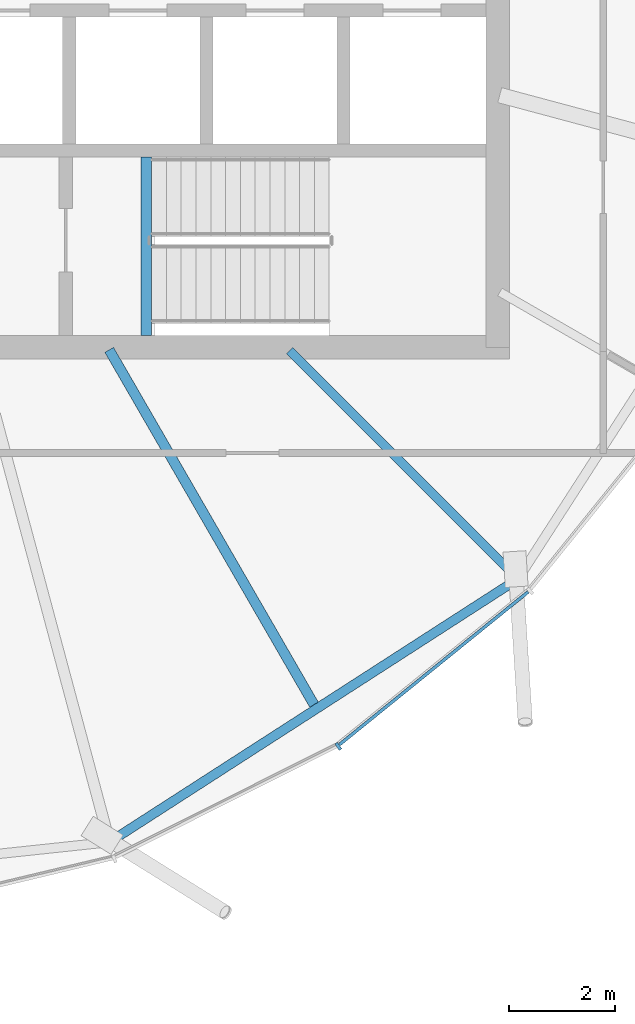
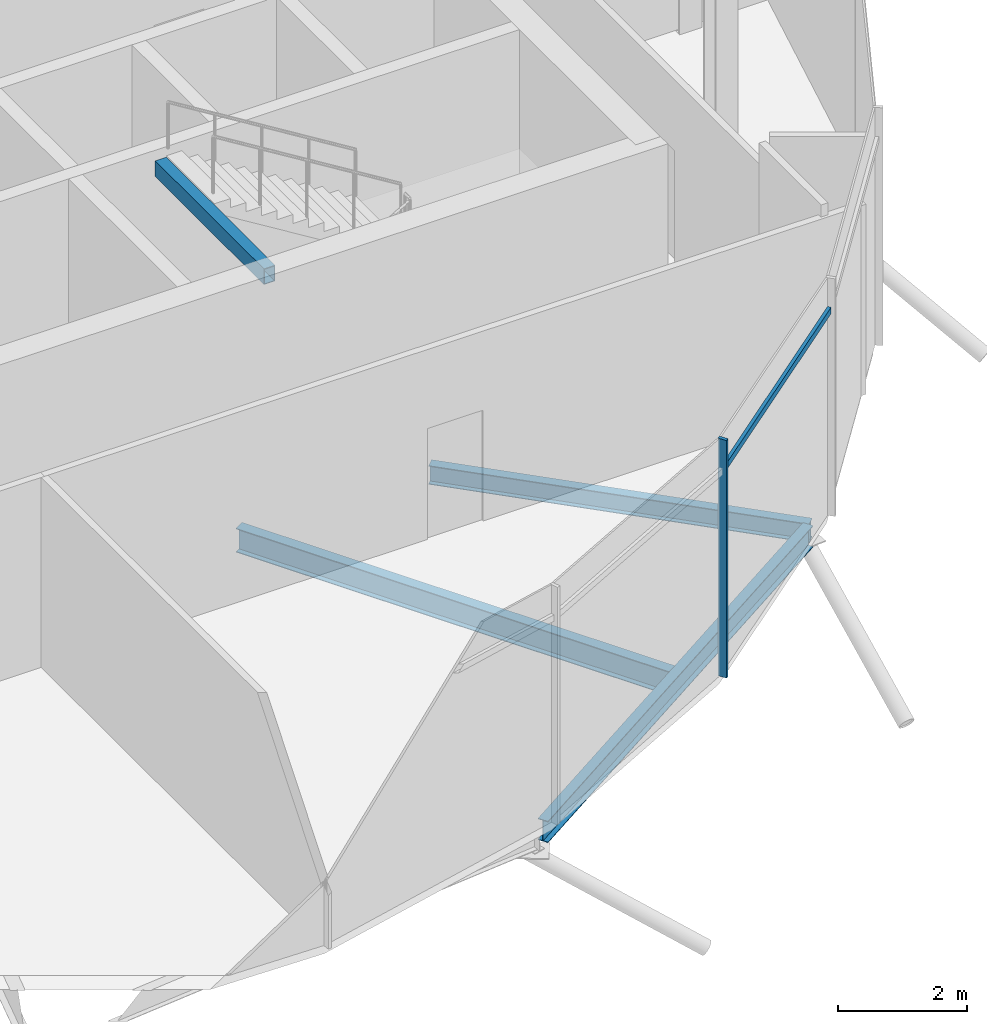
# One storey, part 10 of 31: 4 beams, 2 members, 1 element without a shape of its own.
"""IFC4 building model written with IfcOpenShell, lengths in metres."""

from ifc_helpers import new_model, si_unit, direction, frame, origin, origin_2d, place, context, subcontext, project, spatial, rectangle, hollow_rectangle, i_section, extrude, material, material_profile, profile_set, type_object, element, aggregate, save


model = new_model("IFC4")

# Units and contexts
model_context = context("Model", 3, precision=1e-05, world=origin(), true_north=direction((0.0, 1.0)))
body_context = subcontext(model_context, "Body", "Model", "MODEL_VIEW")
ifc_project = project(units=[si_unit("LENGTHUNIT", "METRE"), si_unit("AREAUNIT", "SQUARE_METRE"), si_unit("VOLUMEUNIT", "CUBIC_METRE"), si_unit("PLANEANGLEUNIT", "RADIAN"), si_unit("MASSUNIT", "GRAM", prefix="KILO")], contexts=[model_context])

# Site, building, storey
site_placement = place(None, origin())
site = spatial("IfcSite", under=ifc_project, at=site_placement, CompositionType="ELEMENT")
building_placement = place(site_placement, origin())
building = spatial("IfcBuilding", under=site, at=building_placement, Name="Rimbun Link Towers", CompositionType="ELEMENT")
storey_placement = place(building_placement, frame((0.0, 0.0, 263.10009765625)))
storey = spatial("IfcBuildingStorey", under=building, at=storey_placement, Name="L64", CompositionType="ELEMENT", Elevation=263.10009765625)

# Curtain wall, members
ifc_material_1 = material(Name="Aluminium 6063-T6 and low-iron glass", Category="aluminium")
curtain_wall_type = type_object("IfcCurtainWallType", Name="CW5 full height lobby wall", PredefinedType="NOTDEFINED", material=ifc_material_1)
curtain_wall_placement = place(storey_placement, origin())
curtain_wall = element("IfcCurtainWall", 1, at=curtain_wall_placement, inside=storey, type_object=curtain_wall_type, Name="CW5 L64 T2", PredefinedType="NOTDEFINED")
ifc_material_2 = material(Name="Aluminium 6063-T6", Category="aluminium")
ifc_material_profile_1 = material_profile(ifc_material_2, rectangle(XDim=0.14990234375, YDim=0.06005859375, at=origin_2d()), Name="MULLION 60X150")
ifc_profile_set_1 = profile_set([ifc_material_profile_1], Name="Aluminium 6063-T6")
member_type_1 = type_object("IfcMemberType", Name="CW5 mullion 60X150", PredefinedType="MULLION", material=ifc_profile_set_1)
member_1_placement = place(storey_placement, frame((40.733642578125, -15.552978515625, 0.0), z_axis=(0.0, 0.0, 1.0), x_axis=(0.542095907354, -0.840316623202, 0.0)))
member_1 = element("IfcMember", 2, at=member_1_placement, type_object=member_type_1, Name="CW5 mullion", PredefinedType="MULLION", context=body_context, shape_type="SweptSolid", body=[
    extrude(rectangle(XDim=0.14990234375, YDim=0.06005859375, at=origin_2d()), origin(), (0.0, 0.0, 1.0), 4.5),
])
ifc_material_3 = material(Name="Aluminium 6063-T6", Category="aluminium")
ifc_material_profile_2 = material_profile(ifc_material_3, rectangle(XDim=0.06005859375, YDim=0.1201171875, at=origin_2d()), Name="TRANSOM 60X120")
ifc_profile_set_2 = profile_set([ifc_material_profile_2], Name="Aluminium 6063-T6")
member_type_2 = type_object("IfcMemberType", Name="CW5 transom 60X120", PredefinedType="USERDEFINED", material=ifc_profile_set_2)
member_2_placement = place(storey_placement, frame((44.326904296875, -12.62841796875, 3.89990234375), z_axis=(-0.777284464263, -0.629149315834, 0.0), x_axis=(0.629149315834, -0.777284464263, 0.0)))
member_2 = element("IfcMember", 3, at=member_2_placement, type_object=member_type_2, Name="CW5 transom", ObjectType="TRANSOM", PredefinedType="USERDEFINED", context=body_context, shape_type="SweptSolid", body=[
    extrude(rectangle(XDim=0.06005859375, YDim=0.1201171875, at=origin_2d()), origin(), (0.0, 0.0, 1.0), 4.594970703125),
])
aggregate(curtain_wall, [member_1, member_2])

# Beams
ifc_material_4 = material(Name="Steel S355J2", Category="steel")
ifc_material_profile_3 = material_profile(ifc_material_4, hollow_rectangle(XDim=0.199951171875, YDim=0.300048828125, WallThickness=0.011962890625, at=origin_2d()), Name="BOX 300x200x12")
ifc_profile_set_3 = profile_set([ifc_material_profile_3], Name="Steel S355J2")
beam_type_1 = type_object("IfcBeamType", Name="Stair trimmer beam BOX 300x200x12", PredefinedType="BEAM", material=ifc_profile_set_3)
beam_1_placement = place(storey_placement, frame((37.10009765625, -7.77490234375, 4.14990234375), z_axis=(0.0, 1.0, 0.0), x_axis=(-1.0, 0.0, 0.0)))
element("IfcBeam", 4, at=beam_1_placement, inside=storey, type_object=beam_type_1, Name="L64 ST4 stair beam 1", PredefinedType="BEAM", context=body_context, shape_type="SweptSolid", body=[
    extrude(hollow_rectangle(XDim=0.199951171875, YDim=0.300048828125, WallThickness=0.011962890625, at=origin_2d()), origin(), (0.0, 0.0, 1.0), 3.375),
])
ifc_material_5 = material(Name="Steel S355J2", Category="steel")
ifc_material_profile_4 = material_profile(ifc_material_5, i_section(OverallWidth=0.17138671875, OverallDepth=0.35498046875, WebThickness=0.00732421875, FlangeThickness=0.011474609375, at=origin_2d()), Name="UB 356x171x51")
ifc_profile_set_4 = profile_set([ifc_material_profile_4], Name="Steel S355J2")
beam_type_2 = type_object("IfcBeamType", Name="UB 356x171x51", PredefinedType="BEAM", material=ifc_profile_set_4)
beam_2_placement = place(storey_placement, frame((39.811279296875, -8.061279296875, -0.357666015625), z_axis=(0.707106781187, -0.707106781187, 0.0), x_axis=(0.707106781187, 0.707106781187, 0.0)))
element("IfcBeam", 5, at=beam_2_placement, inside=storey, type_object=beam_type_2, Name="Radial beam T2 L64 18", PredefinedType="BEAM", context=body_context, shape_type="SweptSolid", body=[
    extrude(i_section(OverallWidth=0.17138671875, OverallDepth=0.35498046875, WebThickness=0.00732421875, FlangeThickness=0.011474609375, at=origin_2d()), origin(), (0.0, 0.0, 1.0), 6.112548828125),
])
ifc_material_6 = material(Name="Steel S355J2", Category="steel")
ifc_material_profile_5 = material_profile(ifc_material_6, i_section(OverallWidth=0.177978515625, OverallDepth=0.406494140625, WebThickness=0.0078125, FlangeThickness=0.0126953125, at=origin_2d()), Name="UB 406x178x60")
ifc_profile_set_5 = profile_set([ifc_material_profile_5], Name="Steel S355J2")
beam_type_3 = type_object("IfcBeamType", Name="UB 406x178x60", PredefinedType="BEAM", material=ifc_profile_set_5)
beam_3_placement = place(storey_placement, frame((36.49609375, -17.3046875, -0.38330078125), z_axis=(0.840615513906, 0.541632308657, 0.0), x_axis=(-0.541632308657, 0.840615513906, 0.0)))
element("IfcBeam", 6, at=beam_3_placement, inside=storey, type_object=beam_type_3, Name="Edge beam T2 L64 16-18", PredefinedType="BEAM", context=body_context, shape_type="SweptSolid", body=[
    extrude(i_section(OverallWidth=0.177978515625, OverallDepth=0.406494140625, WebThickness=0.0078125, FlangeThickness=0.0126953125, at=origin_2d()), origin(), (0.0, 0.0, 1.0), 8.9970703125),
])
ifc_material_7 = material(Name="Steel S355J2", Category="steel")
ifc_material_profile_6 = material_profile(ifc_material_7, i_section(OverallWidth=0.18994140625, OverallDepth=0.453369140625, WebThickness=0.008544921875, FlangeThickness=0.0126953125, at=origin_2d()), Name="UB 457x191x67")
ifc_profile_set_6 = profile_set([ifc_material_profile_6], Name="Steel S355J2")
beam_type_4 = type_object("IfcBeamType", Name="UB 457x191x67", PredefinedType="BEAM", material=ifc_profile_set_6)
beam_4_placement = place(storey_placement, frame((36.396728515625, -8.04833984375, -0.40673828125), z_axis=(0.499985914114, -0.866033536122, 0.0), x_axis=(0.866033536122, 0.499985914114, 0.0)))
element("IfcBeam", 7, at=beam_4_placement, inside=storey, type_object=beam_type_4, Name="Radial beam T2 L64 17", PredefinedType="BEAM", context=body_context, shape_type="SweptSolid", body=[
    extrude(i_section(OverallWidth=0.18994140625, OverallDepth=0.453369140625, WebThickness=0.008544921875, FlangeThickness=0.0126953125, at=origin_2d()), origin(), (0.0, 0.0, 1.0), 7.754150390625),
])

save(model, "model.ifc")
